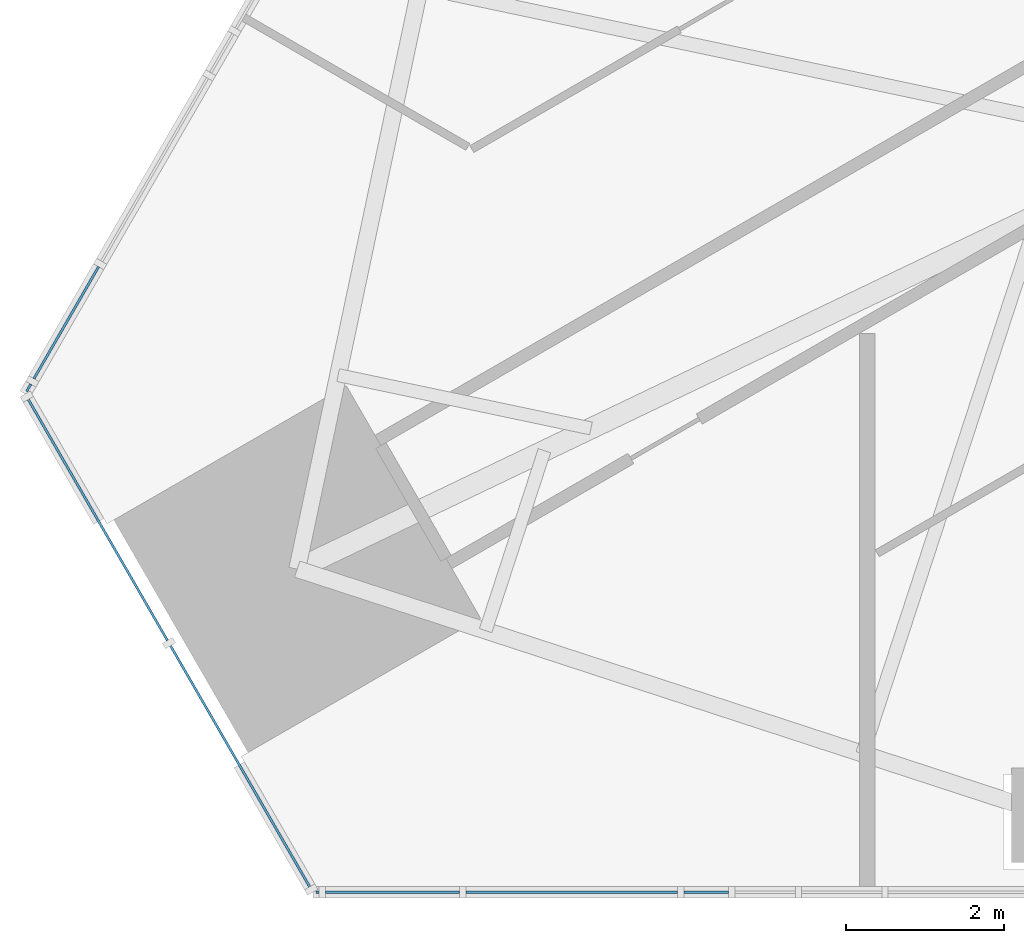
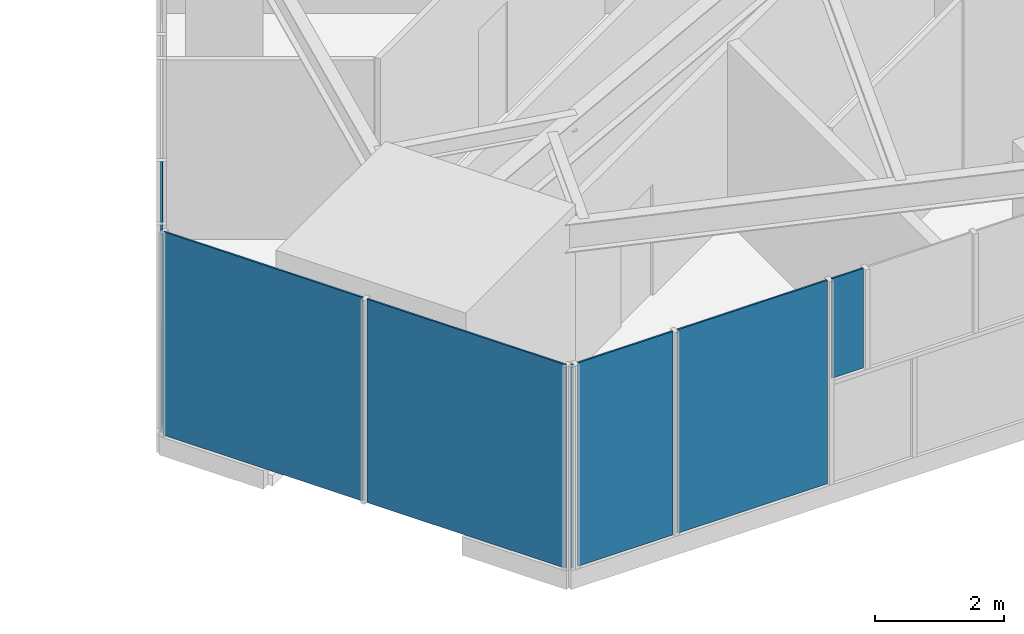
# One storey, part 10 of 26: 8 plates, 3 elements without a shape of their own.
"""IFC4 building model written with IfcOpenShell, lengths in metres."""

from ifc_helpers import new_model, si_unit, direction, frame, origin, place, context, subcontext, project, spatial, polyline, outline, extrude, material, layer, layer_set, type_object, element, aggregate, save


model = new_model("IFC4")

# Units and contexts
model_context = context("Model", 3, precision=1e-05, world=origin(), true_north=direction((0.0, 1.0)))
body_context = subcontext(model_context, "Body", "Model", "MODEL_VIEW")
ifc_project = project(units=[si_unit("LENGTHUNIT", "METRE"), si_unit("AREAUNIT", "SQUARE_METRE"), si_unit("VOLUMEUNIT", "CUBIC_METRE"), si_unit("PLANEANGLEUNIT", "RADIAN"), si_unit("MASSUNIT", "GRAM", prefix="KILO")], contexts=[model_context])

# Site, building, storey
site_placement = place(None, origin())
site = spatial("IfcSite", under=ifc_project, at=site_placement, CompositionType="ELEMENT")
building_placement = place(site_placement, origin())
building = spatial("IfcBuilding", under=site, at=building_placement, Name="Firuza Gate Tower and Library", CompositionType="ELEMENT")
storey_placement = place(building_placement, frame((0.0, 0.0, 115.60009765625)))
storey = spatial("IfcBuildingStorey", under=building, at=storey_placement, Name="L26", CompositionType="ELEMENT", Elevation=115.60009765625)

# Curtain wall, plates
ifc_material_1 = material(Name="Aluminium 6063-T6", Category="aluminium")
ifc_layer_1 = layer(ifc_material_1, 0.14990234375)
ifc_layer_set_1 = layer_set([ifc_layer_1], Name="Corner curtain wall, chamfers")
curtain_wall_type_1 = type_object("IfcCurtainWallType", Name="Corner curtain wall, chamfers", PredefinedType="NOTDEFINED", material=ifc_layer_set_1)
placement = place(storey_placement, origin())
curtain_wall_1 = element("IfcCurtainWall", 1, at=placement, inside=storey, type_object=curtain_wall_type_1, Name="CW4 L26 SW corner", PredefinedType="NOTDEFINED")
ifc_material_2 = material(Name="Fritted glass", Category="glass")
ifc_layer_2 = layer(ifc_material_2, 0.030029296875)
ifc_layer_set_2 = layer_set([ifc_layer_2], Name="Fritted glass unit, corners")
plate_type_1 = type_object("IfcPlateType", Name="Fritted glass unit, corners", PredefinedType="CURTAIN_PANEL", material=ifc_layer_set_2)
plate_1_placement = place(storey_placement, frame((43.4052734375, 60.91943359375, 0.14990234375), z_axis=(-0.866046390552, -0.49996364809, 0.0), x_axis=(0.49996364809, -0.866046390552, 0.0)))
plate_1 = element("IfcPlate", 2, at=plate_1_placement, type_object=plate_type_1, Name="Glass unit", PredefinedType="CURTAIN_PANEL", context=body_context, shape_type="SweptSolid", body=[
    extrude(outline(polyline([(0.0, 0.0), (3.563247342942594, 0.0), (3.563247342942594, 3.85009765625), (0.0, 3.85009765625), (0.0, 0.0)])), origin(), (0.0, 0.0, -1.0), 0.030029296875),
])
plate_2_placement = place(storey_placement, frame((45.226806640625, 57.764404296875, 0.14990234375), z_axis=(-0.866016723041, -0.500015035186, 0.0), x_axis=(0.500015035186, -0.866016723041, 0.0)))
plate_2 = element("IfcPlate", 3, at=plate_2_placement, type_object=plate_type_1, Name="Glass unit", PredefinedType="CURTAIN_PANEL", context=body_context, shape_type="SweptSolid", body=[
    extrude(outline(polyline([(0.0, 0.0), (3.5633694106530625, 0.0), (3.5633694106530625, 3.85009765625), (0.0, 3.85009765625), (0.0, 0.0)])), origin(), (0.0, 0.0, -1.0), 0.030029296875),
])
aggregate(curtain_wall_1, [plate_1, plate_2])

ifc_material_3 = material(Name="Aluminium 6063-T6", Category="aluminium")
ifc_layer_3 = layer(ifc_material_3, 0.14990234375)
ifc_layer_set_3 = layer_set([ifc_layer_3], Name="Unitised curtain wall, offices")
curtain_wall_type_2 = type_object("IfcCurtainWallType", Name="Unitised curtain wall, offices", PredefinedType="NOTDEFINED", material=ifc_layer_set_3)
curtain_wall_2 = element("IfcCurtainWall", 4, at=placement, inside=storey, type_object=curtain_wall_type_2, Name="CW1 L26 S face", PredefinedType="NOTDEFINED")
ifc_material_4 = material(Name="Fritted glass", Category="glass")
ifc_layer_4 = layer(ifc_material_4, 0.030029296875)
ifc_layer_set_4 = layer_set([ifc_layer_4], Name="Fritted glass unit, offices")
plate_type_2 = type_object("IfcPlateType", Name="Fritted glass unit, offices", PredefinedType="CURTAIN_PANEL", material=ifc_layer_set_4)
plate_3_placement = place(storey_placement, frame((47.2001953125, 54.63623046875, 0.14990234375), z_axis=(0.0, -1.0, 0.0), x_axis=(1.0, 0.0, 0.0)))
plate_3 = element("IfcPlate", 5, at=plate_3_placement, type_object=plate_type_2, Name="Glass unit", PredefinedType="CURTAIN_PANEL", context=body_context, shape_type="SweptSolid", body=[
    extrude(outline(polyline([(0.0, 0.0), (1.701416015625, 0.0), (1.701416015625, 3.85009765625), (0.0, 3.85009765625), (0.0, 0.0)])), origin(), (0.0, 0.0, -1.0), 0.030029296875),
])
plate_4_placement = place(storey_placement, frame((51.7412109375, 54.63623046875, 2.114990234375), z_axis=(0.0, -1.0, 0.0), x_axis=(1.0, 0.0, 0.0)))
plate_4 = element("IfcPlate", 6, at=plate_4_placement, type_object=plate_type_2, Name="Glass unit", PredefinedType="CURTAIN_PANEL", context=body_context, shape_type="SweptSolid", body=[
    extrude(outline(polyline([(0.0, 0.0), (0.565185546875, 0.0), (0.565185546875, 1.885009765625), (0.0, 1.885009765625), (0.0, 0.0)])), origin(), (0.0, 0.0, -1.0), 0.030029296875),
])

# Curtain wall, plate
curtain_wall_3 = element("IfcCurtainWall", 7, at=placement, inside=storey, type_object=curtain_wall_type_2, Name="CW1 L26 W face", PredefinedType="NOTDEFINED")
plate_5_placement = place(storey_placement, frame((44.3154296875, 62.580078125, 0.14990234375), z_axis=(-0.865994286471, 0.500053892894, 0.0), x_axis=(-0.500053892894, -0.865994286471, 0.0)))
plate_5 = element("IfcPlate", 8, at=plate_5_placement, type_object=plate_type_2, Name="Glass unit", PredefinedType="CURTAIN_PANEL", context=body_context, shape_type="SweptSolid", body=[
    extrude(outline(polyline([(0.0, 0.0), (1.6365423539913728, 0.0), (1.6365423539913728, 3.85009765625), (0.0, 3.85009765625), (0.0, 0.0)])), origin(), (0.0, 0.0, -1.0), 0.030029296875),
])

# Plate
ifc_material_5 = material(Name="Glazed ceramic tile")
ifc_layer_5 = layer(ifc_material_5, 0.030029296875)
ifc_layer_set_5 = layer_set([ifc_layer_5], Name="Opaque ceramic panel, offices")
plate_type_3 = type_object("IfcPlateType", Name="Opaque ceramic panel, offices", PredefinedType="CURTAIN_PANEL", material=ifc_layer_set_5)
plate_6_placement = place(storey_placement, frame((47.08154296875, 54.63623046875, 0.14990234375), z_axis=(0.0, -1.0, 0.0), x_axis=(1.0, 0.0, 0.0)))
plate_6 = element("IfcPlate", 9, at=plate_6_placement, type_object=plate_type_3, Name="Opaque ceramic panel", PredefinedType="CURTAIN_PANEL", context=body_context, shape_type="SweptSolid", body=[
    extrude(outline(polyline([(0.0, 0.0), (0.03857421875, 0.0), (0.03857421875, 3.85009765625), (0.0, 3.85009765625), (0.0, 0.0)])), origin(), (0.0, 0.0, -1.0), 0.030029296875),
])

plate_7_placement = place(storey_placement, frame((48.981689453125, 54.63623046875, 0.14990234375), z_axis=(0.0, -1.0, 0.0), x_axis=(1.0, 0.0, 0.0)))
plate_7 = element("IfcPlate", 10, at=plate_7_placement, type_object=plate_type_3, Name="Opaque ceramic panel", PredefinedType="CURTAIN_PANEL", context=body_context, shape_type="SweptSolid", body=[
    extrude(outline(polyline([(0.0, 0.0), (2.6796875, 0.0), (2.6796875, 3.85009765625), (0.0, 3.85009765625), (0.0, 0.0)])), origin(), (0.0, 0.0, -1.0), 0.030029296875),
])

aggregate(curtain_wall_2, [plate_6, plate_3, plate_7, plate_4])

plate_8_placement = place(storey_placement, frame((43.45703125, 61.093505859375, 0.14990234375), z_axis=(-0.866499015963, 0.499178780935, 0.0), x_axis=(-0.499178780935, -0.866499015963, 0.0)))
plate_8 = element("IfcPlate", 11, at=plate_8_placement, type_object=plate_type_3, Name="Opaque ceramic panel", PredefinedType="CURTAIN_PANEL", context=body_context, shape_type="SweptSolid", body=[
    extrude(outline(polyline([(0.0, 0.0), (0.10368592271300699, 0.0), (0.10368592271300699, 3.85009765625), (0.0, 3.85009765625), (0.0, 0.0)])), origin(), (0.0, 0.0, -1.0), 0.030029296875),
])

aggregate(curtain_wall_3, [plate_5, plate_8])

save(model, "model.ifc")
